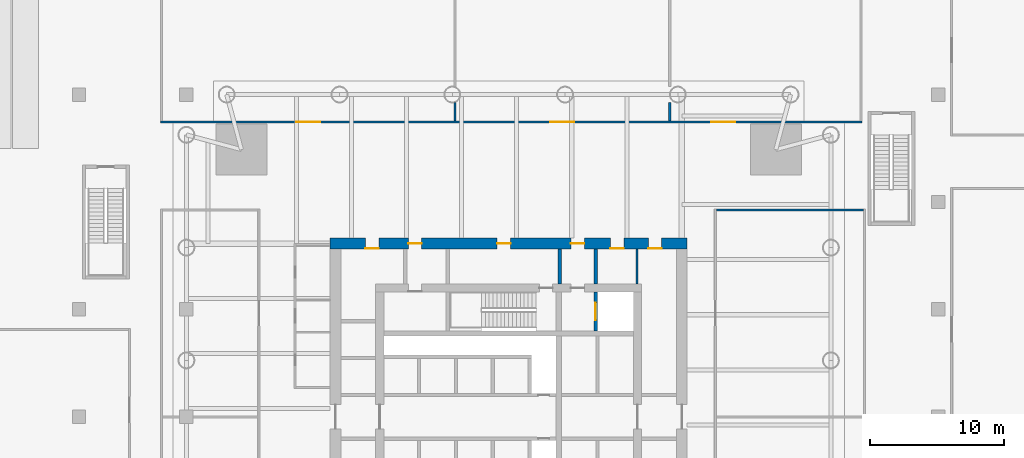
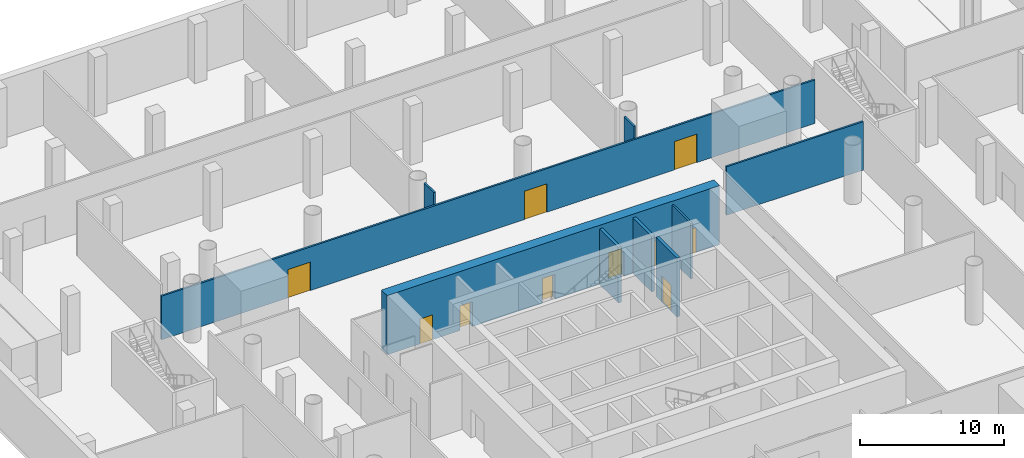
# One storey, part 10 of 22: 10 doors, 9 walls, 10 openings.
"""IFC4 building model written with IfcOpenShell, lengths in metres."""

from ifc_helpers import new_model, si_unit, direction, frame, frame_2d, origin, place, context, subcontext, project, spatial, rectangle, extrude, material, layer, layer_set, type_object, element, fill, save


model = new_model("IFC4")

# Units and contexts
model_context = context("Model", 3, precision=1e-05, world=origin(), true_north=direction((0.0, 1.0)))
body_context = subcontext(model_context, "Body", "Model", "MODEL_VIEW")
ifc_project = project(units=[si_unit("LENGTHUNIT", "METRE"), si_unit("AREAUNIT", "SQUARE_METRE"), si_unit("VOLUMEUNIT", "CUBIC_METRE"), si_unit("PLANEANGLEUNIT", "RADIAN"), si_unit("MASSUNIT", "GRAM", prefix="KILO")], contexts=[model_context])

# Site, building, storey
site_placement = place(None, origin())
site = spatial("IfcSite", under=ifc_project, at=site_placement, CompositionType="ELEMENT")
building_placement = place(site_placement, origin())
building = spatial("IfcBuilding", under=site, at=building_placement, Name="Ostroluk Exchange", CompositionType="ELEMENT")
storey_placement = place(building_placement, frame((0.0, 0.0, -5.0)))
storey = spatial("IfcBuildingStorey", under=building, at=storey_placement, Name="B1", CompositionType="ELEMENT", Elevation=-5.0)

# Walls
ifc_material_1 = material(Name="Concrete blockwork", Category="masonry")
ifc_layer_1 = layer(ifc_material_1, 0.14990234375)
ifc_layer_set_1 = layer_set([ifc_layer_1], Name="Blockwork plant room wall 150")
wall_type_1 = type_object("IfcWallType", Name="Blockwork plant room wall 150", PredefinedType="SOLIDWALL", material=ifc_layer_set_1)
wall_1_placement = place(storey_placement, frame((54.550048828125, 55.89990234375, 0.0), z_axis=(0.0, 0.0, 1.0), x_axis=(0.0, 1.0, 0.0)))
element("IfcWall", 1, at=wall_1_placement, inside=storey, type_object=wall_type_1, Name="Core room wall", PredefinedType="SOLIDWALL", context=body_context, shape_type="SweptSolid", body=[
    extrude(rectangle(XDim=2.60009765625, YDim=0.14990234375, at=frame_2d((1.300048828125, 0.0))), origin(), (0.0, 0.0, 1.0), 4.699951171875),
])
ifc_material_2 = material(Name="Concrete blockwork", Category="masonry")
ifc_layer_2 = layer(ifc_material_2, 0.25)
ifc_layer_set_2 = layer_set([ifc_layer_2], Name="Blockwork stair enclosure wall 250")
wall_type_2 = type_object("IfcWallType", Name="Blockwork stair enclosure wall 250", PredefinedType="SOLIDWALL", material=ifc_layer_set_2)
for number, where, z_axis, x_axis, name in (
    (2, (48.804931640625, 55.89990234375, 0.0), (0.0, 0.0, 1.0), (0.0, 1.0, 0.0), "Fire lobby enclosure wall"),
    (3, (51.47509765625, 55.89990234375, 0.0), (0.0, 0.0, 1.0), (0.0, 1.0, 0.0), "Fire lobby enclosure wall"),
):
    element("IfcWall", number, at=place(storey_placement, frame(where, z_axis=z_axis, x_axis=x_axis)), inside=storey, type_object=wall_type_2, Name=name, PredefinedType="SOLIDWALL", context=body_context, shape_type="SweptSolid", body=[
        extrude(rectangle(XDim=2.60009765625, YDim=0.25, at=frame_2d((1.300048828125, 0.0))), origin(), (0.0, 0.0, 1.0), 4.699951171875),
    ])

# Wall, opening, door
ifc_material_3 = material(Name="Concrete C40/50", Category="concrete")
ifc_layer_3 = layer(ifc_material_3, 0.25)
ifc_layer_set_3 = layer_set([ifc_layer_3], Name="Core shaft wall 250")
wall_type_3 = type_object("IfcWallType", Name="Core shaft wall 250", PredefinedType="SHEAR", material=ifc_layer_set_3)
wall_2_placement = place(storey_placement, frame((51.47509765625, 52.39990234375, 0.0), z_axis=(0.0, 0.0, 1.0), x_axis=(0.0, 1.0, 0.0)))
wall_2 = element("IfcWall", 4, at=wall_2_placement, inside=storey, type_object=wall_type_3, Name="Firefighting lift shaft wall", PredefinedType="SHEAR", context=body_context, shape_type="SweptSolid", body=[
    extrude(rectangle(XDim=2.900146484375, YDim=0.25, at=frame_2d((1.4501953125, 0.0))), origin(), (0.0, 0.0, 1.0), 5.0),
])
opening_1_placement = place(wall_2_placement, frame((0.800048828125, 0.0, 0.0)))
opening_1 = element("IfcOpeningElement", 5, at=opening_1_placement, cuts=wall_2, Name="Opening LD2", PredefinedType="OPENING", context=body_context, shape_type="SweptSolid", body=[
    extrude(rectangle(XDim=1.300048828125, YDim=2.199951171875, at=frame_2d((0.64990234375, 1.10009765625))), frame((0.0, 0.135009765625, 0.0), z_axis=(0.0, -1.0, 0.0), x_axis=(1.0, 0.0, 0.0)), (0.0, 0.0, 1.0), 0.27001953125),
])
ifc_material_4 = material(Name="Stainless steel", Category="steel")
door_type_1 = type_object("IfcDoorType", Name="Lift landing door E 60 1300 x 2200", OperationType="DOUBLE_DOOR_SLIDING", PredefinedType="DOOR", material=ifc_material_4)
door_1_placement = place(opening_1_placement, origin())
door_1 = element("IfcDoor", 6, at=door_1_placement, inside=storey, type_object=door_type_1, Name="Lift FL2 landing door", OperationType="DOUBLE_DOOR_SLIDING", OverallHeight=2.199951171875, OverallWidth=1.300048828125, PredefinedType="DOOR", context=body_context, shape_type="SweptSolid", body=[
    extrude(rectangle(XDim=1.300048828125, YDim=2.199951171875, at=frame_2d((0.64990234375, 1.10009765625))), frame((0.0, 0.02490234375, 0.0), z_axis=(0.0, -1.0, 0.0), x_axis=(1.0, 0.0, 0.0)), (0.0, 0.0, 1.0), 0.050048828125),
])
fill(opening_1, door_1)

# Wall, openings, doors
ifc_material_5 = material(Name="Concrete C50/60", Category="concrete")
ifc_layer_4 = layer(ifc_material_5, 0.800048828125)
ifc_layer_set_4 = layer_set([ifc_layer_4], Name="Core wall 800 C50/60")
wall_type_4 = type_object("IfcWallType", Name="Core wall 800 C50/60", PredefinedType="SHEAR", material=ifc_layer_set_4)
wall_3_placement = place(storey_placement, frame((31.699951171875, 58.89990234375, 0.0), z_axis=(0.0, 0.0, 1.0), x_axis=(1.0, 0.0, 0.0)))
wall_3 = element("IfcWall", 7, at=wall_3_placement, inside=storey, type_object=wall_type_4, Name="T1 core wall RN", PredefinedType="SHEAR", context=body_context, shape_type="SweptSolid", body=[
    extrude(rectangle(XDim=26.60009765625, YDim=0.800048828125, at=frame_2d((13.300048828125, 0.0))), origin(), (0.0, 0.0, 1.0), 5.0),
])
opening_2_placement = place(wall_3_placement, frame((17.93994140625, 0.0, 0.0)))
opening_2 = element("IfcOpeningElement", 8, at=opening_2_placement, cuts=wall_3, Name="Opening FD60", PredefinedType="OPENING", context=body_context, shape_type="SweptSolid", body=[
    extrude(rectangle(XDim=1.0, YDim=2.10009765625, at=frame_2d((0.5, 1.050048828125))), frame((0.0, 0.409912109375, 0.0), z_axis=(0.0, -1.0, 0.0), x_axis=(1.0, 0.0, 0.0)), (0.0, 0.0, 1.0), 0.820068359375),
])
opening_3_placement = place(wall_3_placement, frame((12.43994140625, 0.0, 0.0)))
opening_3 = element("IfcOpeningElement", 9, at=opening_3_placement, cuts=wall_3, Name="Opening FD60", PredefinedType="OPENING", context=body_context, shape_type="SweptSolid", body=[
    extrude(rectangle(XDim=1.0, YDim=2.10009765625, at=frame_2d((0.5, 1.050048828125))), frame((0.0, 0.409912109375, 0.0), z_axis=(0.0, -1.0, 0.0), x_axis=(1.0, 0.0, 0.0)), (0.0, 0.0, 1.0), 0.820068359375),
])
opening_4_placement = place(wall_3_placement, frame((5.824951171875, 0.0, 0.0)))
opening_4 = element("IfcOpeningElement", 10, at=opening_4_placement, cuts=wall_3, Name="Opening FD60", PredefinedType="OPENING", context=body_context, shape_type="SweptSolid", body=[
    extrude(rectangle(XDim=1.0, YDim=2.10009765625, at=frame_2d((0.5, 1.050048828125))), frame((0.0, 0.409912109375, 0.0), z_axis=(0.0, -1.0, 0.0), x_axis=(1.0, 0.0, 0.0)), (0.0, 0.0, 1.0), 0.820068359375),
])
opening_5_placement = place(wall_3_placement, frame((2.637451171875, 0.0, 0.0)))
opening_5 = element("IfcOpeningElement", 11, at=opening_5_placement, cuts=wall_3, Name="Opening FD60", PredefinedType="OPENING", context=body_context, shape_type="SweptSolid", body=[
    extrude(rectangle(XDim=1.0, YDim=2.10009765625, at=frame_2d((0.5, 1.050048828125))), frame((0.0, 0.409912109375, 0.0), z_axis=(0.0, -1.0, 0.0), x_axis=(1.0, 0.0, 0.0)), (0.0, 0.0, 1.0), 0.820068359375),
])
opening_6_placement = place(wall_3_placement, frame((20.875, 0.0, 0.0)))
opening_6 = element("IfcOpeningElement", 12, at=opening_6_placement, cuts=wall_3, Name="Opening FD60", PredefinedType="OPENING", context=body_context, shape_type="SweptSolid", body=[
    extrude(rectangle(XDim=1.0, YDim=2.10009765625, at=frame_2d((0.5, 1.050048828125))), frame((0.0, 0.409912109375, 0.0), z_axis=(0.0, -1.0, 0.0), x_axis=(1.0, 0.0, 0.0)), (0.0, 0.0, 1.0), 0.820068359375),
])
opening_7_placement = place(wall_3_placement, frame((23.699951171875, 0.0, 0.0)))
opening_7 = element("IfcOpeningElement", 13, at=opening_7_placement, cuts=wall_3, Name="Opening FD60", PredefinedType="OPENING", context=body_context, shape_type="SweptSolid", body=[
    extrude(rectangle(XDim=1.0, YDim=2.10009765625, at=frame_2d((0.5, 1.050048828125))), frame((0.0, 0.409912109375, 0.0), z_axis=(0.0, -1.0, 0.0), x_axis=(1.0, 0.0, 0.0)), (0.0, 0.0, 1.0), 0.820068359375),
])
ifc_material_6 = material(Name="Steel", Category="steel")
door_type_2 = type_object("IfcDoorType", Name="Fire door EI 60 1000 x 2100", OperationType="SINGLE_SWING_LEFT", PredefinedType="DOOR", material=ifc_material_6)
door_2_placement = place(opening_2_placement, origin())
door_2 = element("IfcDoor", 14, at=door_2_placement, inside=storey, type_object=door_type_2, Name="Firefighting lobby door", OperationType="SINGLE_SWING_RIGHT", OverallHeight=2.10009765625, OverallWidth=1.0, PredefinedType="DOOR", context=body_context, shape_type="SweptSolid", body=[
    extrude(rectangle(XDim=1.0, YDim=2.10009765625, at=frame_2d((0.5, 1.050048828125))), frame((0.0, 0.02490234375, 0.0), z_axis=(0.0, -1.0, 0.0), x_axis=(1.0, 0.0, 0.0)), (0.0, 0.0, 1.0), 0.050048828125),
])
fill(opening_2, door_2)
door_3_placement = place(opening_3_placement, origin())
door_3 = element("IfcDoor", 15, at=door_3_placement, inside=storey, type_object=door_type_2, Name="Stair lobby door", OperationType="SINGLE_SWING_LEFT", OverallHeight=2.10009765625, OverallWidth=1.0, PredefinedType="DOOR", context=body_context, shape_type="SweptSolid", body=[
    extrude(rectangle(XDim=1.0, YDim=2.10009765625, at=frame_2d((0.5, 1.050048828125))), frame((0.0, 0.02490234375, 0.0), z_axis=(0.0, -1.0, 0.0), x_axis=(1.0, 0.0, 0.0)), (0.0, 0.0, 1.0), 0.050048828125),
])
fill(opening_3, door_3)
door_4_placement = place(opening_4_placement, origin())
door_4 = element("IfcDoor", 16, at=door_4_placement, inside=storey, type_object=door_type_2, Name="Core corridor door", OperationType="SINGLE_SWING_LEFT", OverallHeight=2.10009765625, OverallWidth=1.0, PredefinedType="DOOR", context=body_context, shape_type="SweptSolid", body=[
    extrude(rectangle(XDim=1.0, YDim=2.10009765625, at=frame_2d((0.5, 1.050048828125))), frame((0.0, 0.02490234375, 0.0), z_axis=(0.0, -1.0, 0.0), x_axis=(1.0, 0.0, 0.0)), (0.0, 0.0, 1.0), 0.050048828125),
])
fill(opening_4, door_4)
door_5_placement = place(opening_5_placement, origin())
door_5 = element("IfcDoor", 17, at=door_5_placement, inside=storey, type_object=door_type_2, Name="Cleaner's store door", OperationType="SINGLE_SWING_LEFT", OverallHeight=2.10009765625, OverallWidth=1.0, PredefinedType="DOOR", context=body_context, shape_type="SweptSolid", body=[
    extrude(rectangle(XDim=1.0, YDim=2.10009765625, at=frame_2d((0.5, 1.050048828125))), frame((0.0, -0.33984375, 0.0), z_axis=(0.0, -1.0, 0.0), x_axis=(1.0, 0.0, 0.0)), (0.0, 0.0, 1.0), 0.050048828125),
])
fill(opening_5, door_5)
door_6_placement = place(opening_6_placement, origin())
door_6 = element("IfcDoor", 18, at=door_6_placement, inside=storey, type_object=door_type_2, Name="Comms switch room door", OperationType="SINGLE_SWING_RIGHT", OverallHeight=2.10009765625, OverallWidth=1.0, PredefinedType="DOOR", context=body_context, shape_type="SweptSolid", body=[
    extrude(rectangle(XDim=1.0, YDim=2.10009765625, at=frame_2d((0.5, 1.050048828125))), frame((0.0, -0.33984375, 0.0), z_axis=(0.0, -1.0, 0.0), x_axis=(1.0, 0.0, 0.0)), (0.0, 0.0, 1.0), 0.050048828125),
])
fill(opening_6, door_6)
door_7_placement = place(opening_7_placement, origin())
door_7 = element("IfcDoor", 19, at=door_7_placement, inside=storey, type_object=door_type_2, Name="Electrical switch room door", OperationType="SINGLE_SWING_RIGHT", OverallHeight=2.10009765625, OverallWidth=1.0, PredefinedType="DOOR", context=body_context, shape_type="SweptSolid", body=[
    extrude(rectangle(XDim=1.0, YDim=2.10009765625, at=frame_2d((0.5, 1.050048828125))), frame((0.0, -0.33984375, 0.0), z_axis=(0.0, -1.0, 0.0), x_axis=(1.0, 0.0, 0.0)), (0.0, 0.0, 1.0), 0.050048828125),
])
fill(opening_7, door_7)

# Wall
ifc_material_7 = material(Name="Gypsum plasterboard partition", Category="gypsum")
ifc_layer_5 = layer(ifc_material_7, 0.14990234375)
ifc_layer_set_5 = layer_set([ifc_layer_5], Name="Plasterboard partition 150")
wall_type_5 = type_object("IfcWallType", Name="Plasterboard partition 150", PredefinedType="PARTITIONING", material=ifc_layer_set_5)
wall_4_placement = place(storey_placement, frame((60.47509765625, 61.39990234375, 0.0), z_axis=(0.0, 0.0, 1.0), x_axis=(1.0, 0.0, 0.0)))
element("IfcWall", 20, at=wall_4_placement, inside=storey, type_object=wall_type_5, Name="Partition", PredefinedType="PARTITIONING", context=body_context, shape_type="SweptSolid", body=[
    extrude(rectangle(XDim=10.949951171875, YDim=0.14990234375, at=frame_2d((5.47509765625, 0.0))), origin(), (0.0, 0.0, 1.0), 4.10009765625),
])

# Wall, openings, doors
wall_5_placement = place(storey_placement, frame((19.074951171875, 67.949951171875, 0.0), z_axis=(0.0, 0.0, 1.0), x_axis=(1.0, 0.0, 0.0)))
wall_5 = element("IfcWall", 21, at=wall_5_placement, inside=storey, type_object=wall_type_5, Name="Partition", PredefinedType="PARTITIONING", context=body_context, shape_type="SweptSolid", body=[
    extrude(rectangle(XDim=52.25, YDim=0.14990234375, at=frame_2d((26.125, 0.0))), origin(), (0.0, 0.0, 1.0), 3.68798828125),
])
opening_8_placement = place(wall_5_placement, frame((10.10009765625, 0.0, 0.0)))
opening_8 = element("IfcOpeningElement", 22, at=opening_8_placement, cuts=wall_5, Name="Opening D-04", PredefinedType="OPENING", context=body_context, shape_type="SweptSolid", body=[
    extrude(rectangle(XDim=1.800048828125, YDim=2.39990234375, at=frame_2d((0.89990234375, 1.199951171875))), frame((0.0, 0.0849609375, 0.0), z_axis=(0.0, -1.0, 0.0), x_axis=(1.0, 0.0, 0.0)), (0.0, 0.0, 1.0), 0.169921875),
])
opening_9_placement = place(wall_5_placement, frame((29.02490234375, 0.0, 0.0)))
opening_9 = element("IfcOpeningElement", 23, at=opening_9_placement, cuts=wall_5, Name="Opening D-04", PredefinedType="OPENING", context=body_context, shape_type="SweptSolid", body=[
    extrude(rectangle(XDim=1.800048828125, YDim=2.39990234375, at=frame_2d((0.89990234375, 1.199951171875))), frame((0.0, 0.0849609375, 0.0), z_axis=(0.0, -1.0, 0.0), x_axis=(1.0, 0.0, 0.0)), (0.0, 0.0, 1.0), 0.169921875),
])
opening_10_placement = place(wall_5_placement, frame((41.0048828125, 0.0, 0.0)))
opening_10 = element("IfcOpeningElement", 24, at=opening_10_placement, cuts=wall_5, Name="Opening D-04", PredefinedType="OPENING", context=body_context, shape_type="SweptSolid", body=[
    extrude(rectangle(XDim=1.800048828125, YDim=2.39990234375, at=frame_2d((0.89990234375, 1.199951171875))), frame((0.0, 0.0849609375, 0.0), z_axis=(0.0, -1.0, 0.0), x_axis=(1.0, 0.0, 0.0)), (0.0, 0.0, 1.0), 0.169921875),
])
ifc_material_8 = material(Name="Timber", Category="wood")
door_type_3 = type_object("IfcDoorType", Name="Double door 1800 x 2400", OperationType="DOUBLE_DOOR_SINGLE_SWING", PredefinedType="DOOR", material=ifc_material_8)
door_8_placement = place(opening_8_placement, origin())
door_8 = element("IfcDoor", 25, at=door_8_placement, inside=storey, type_object=door_type_3, Name="Retail unit door", OperationType="DOUBLE_DOOR_SINGLE_SWING", OverallHeight=2.39990234375, OverallWidth=1.800048828125, PredefinedType="DOOR", context=body_context, shape_type="SweptSolid", body=[
    extrude(rectangle(XDim=1.800048828125, YDim=2.39990234375, at=frame_2d((0.89990234375, 1.199951171875))), frame((0.0, 0.02490234375, 0.0), z_axis=(0.0, -1.0, 0.0), x_axis=(1.0, 0.0, 0.0)), (0.0, 0.0, 1.0), 0.050048828125),
])
fill(opening_8, door_8)
door_9_placement = place(opening_9_placement, origin())
door_9 = element("IfcDoor", 26, at=door_9_placement, inside=storey, type_object=door_type_3, Name="Retail unit door", OperationType="DOUBLE_DOOR_SINGLE_SWING", OverallHeight=2.39990234375, OverallWidth=1.800048828125, PredefinedType="DOOR", context=body_context, shape_type="SweptSolid", body=[
    extrude(rectangle(XDim=1.800048828125, YDim=2.39990234375, at=frame_2d((0.89990234375, 1.199951171875))), frame((0.0, 0.02490234375, 0.0), z_axis=(0.0, -1.0, 0.0), x_axis=(1.0, 0.0, 0.0)), (0.0, 0.0, 1.0), 0.050048828125),
])
fill(opening_9, door_9)
door_10_placement = place(opening_10_placement, origin())
door_10 = element("IfcDoor", 27, at=door_10_placement, inside=storey, type_object=door_type_3, Name="Retail unit door", OperationType="DOUBLE_DOOR_SINGLE_SWING", OverallHeight=2.39990234375, OverallWidth=1.800048828125, PredefinedType="DOOR", context=body_context, shape_type="SweptSolid", body=[
    extrude(rectangle(XDim=1.800048828125, YDim=2.39990234375, at=frame_2d((0.89990234375, 1.199951171875))), frame((0.0, 0.02490234375, 0.0), z_axis=(0.0, -1.0, 0.0), x_axis=(1.0, 0.0, 0.0)), (0.0, 0.0, 1.0), 0.050048828125),
])
fill(opening_10, door_10)

# Walls
for number, where, z_axis, x_axis, name in (
    (28, (41.0, 68.02490234375, 0.0), (0.0, 0.0, 1.0), (0.0, 1.0, 0.0), "Partition"),
    (29, (57.0, 68.02490234375, 0.0), (0.0, 0.0, 1.0), (0.0, 1.0, 0.0), "Partition"),
):
    element("IfcWall", number, at=place(storey_placement, frame(where, z_axis=z_axis, x_axis=x_axis)), inside=storey, type_object=wall_type_5, Name=name, PredefinedType="PARTITIONING", context=body_context, shape_type="SweptSolid", body=[
        extrude(rectangle(XDim=1.365478515625, YDim=0.14990234375, at=frame_2d((0.6826171875, 0.0))), origin(), (0.0, 0.0, 1.0), 4.699951171875),
    ])

save(model, "model.ifc")
